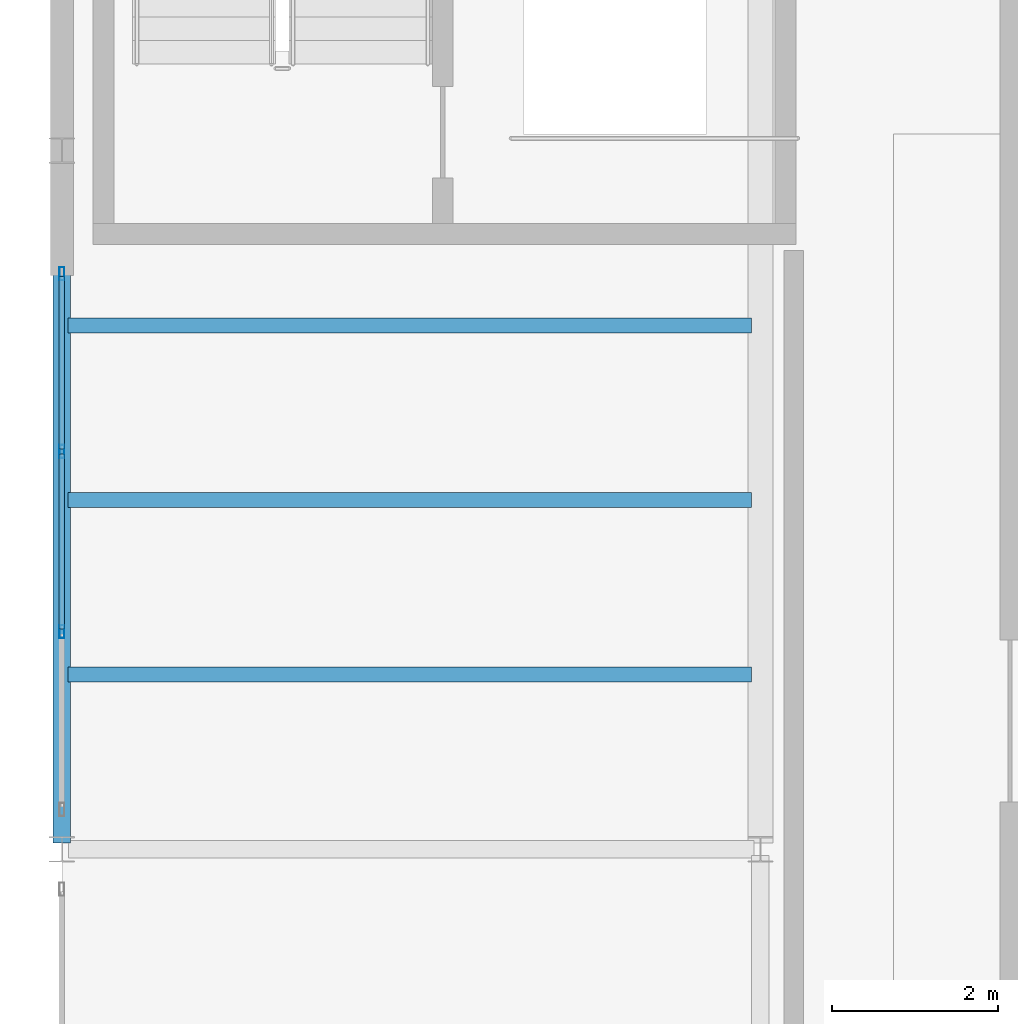
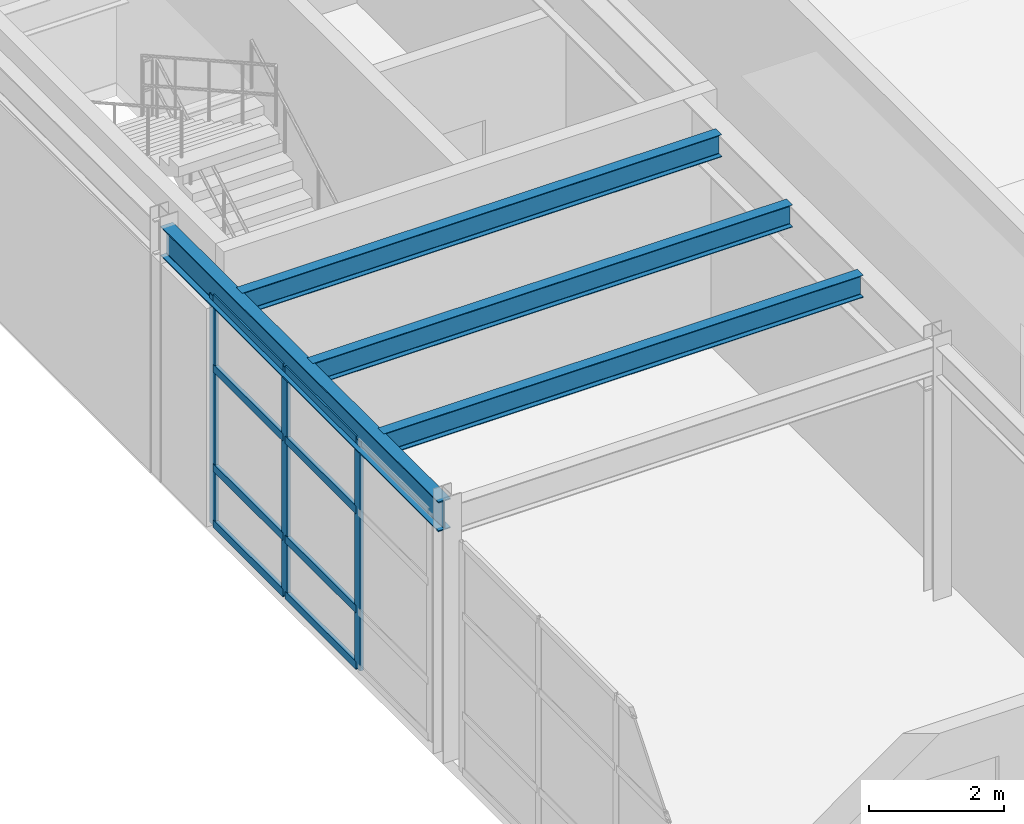
# One storey, part 62 of 116: 11 members, 4 beams, 1 element without a shape of its own.
"""IFC4 building model written with IfcOpenShell, lengths in metres."""

from ifc_helpers import new_model, si_unit, direction, frame, origin, origin_2d, place, context, subcontext, project, spatial, hollow_rectangle, i_section, extrude, material, layer, layer_set, material_profile, profile_set, type_object, element, aggregate, save


model = new_model("IFC4")

# Units and contexts
model_context = context("Model", 3, precision=1e-05, world=origin(), true_north=direction((0.0, 1.0)))
body_context = subcontext(model_context, "Body", "Model", "MODEL_VIEW")
ifc_project = project(units=[si_unit("LENGTHUNIT", "METRE"), si_unit("AREAUNIT", "SQUARE_METRE"), si_unit("VOLUMEUNIT", "CUBIC_METRE"), si_unit("PLANEANGLEUNIT", "RADIAN"), si_unit("MASSUNIT", "GRAM", prefix="KILO")], contexts=[model_context])

# Site, building, storey
site_placement = place(None, origin())
site = spatial("IfcSite", under=ifc_project, at=site_placement, CompositionType="ELEMENT")
building_placement = place(site_placement, origin())
building = spatial("IfcBuilding", under=site, at=building_placement, Name="Selat Folded Stagehouse", CompositionType="ELEMENT")
storey_placement = place(building_placement, frame((0.0, 0.0, 5.39990234375)))
storey = spatial("IfcBuildingStorey", under=building, at=storey_placement, Name="L01", CompositionType="ELEMENT", Elevation=5.39990234375)

# Beam
ifc_material_1 = material(Name="Steel S355", Category="steel")
ifc_material_profile_1 = material_profile(ifc_material_1, i_section(OverallWidth=0.210693359375, OverallDepth=0.53955078125, WebThickness=0.01171875, FlangeThickness=0.018798828125, FilletRadius=0.0126953125, at=origin_2d()), Name="UKB 533x210x109")
ifc_profile_set_1 = profile_set([ifc_material_profile_1], Name="Steel S355")
beam_type_1 = type_object("IfcBeamType", Name="BM-GIRD-533x210x109", PredefinedType="BEAM", material=ifc_profile_set_1)
beam_placement = place(storey_placement, frame((0.0, 62.47705078125, 4.310302734375), z_axis=(0.0, 1.0, 0.0), x_axis=(-1.0, 0.0, 0.0)))
element("IfcBeam", 1, at=beam_placement, inside=storey, type_object=beam_type_1, Name="L01 primary y-girder 0804", PredefinedType="BEAM", context=body_context, shape_type="SweptSolid", body=[
    extrude(i_section(OverallWidth=0.210693359375, OverallDepth=0.53955078125, WebThickness=0.01171875, FlangeThickness=0.018798828125, FilletRadius=0.0126953125, at=origin_2d()), origin(), (0.0, 0.0, 1.0), 8.245849609375),
])

# Curtain wall, members
ifc_material_2 = material(Name="Aluminium 6063-T6", Category="aluminium")
ifc_layer = layer(ifc_material_2, 0.179931640625)
ifc_layer_set = layer_set([ifc_layer], Name="Aluminium 6063-T6")
curtain_wall_type = type_object("IfcCurtainWallType", Name="CW-BBX-FOYER", PredefinedType="NOTDEFINED", material=ifc_layer_set)
curtain_wall_placement = place(storey_placement, origin())
curtain_wall = element("IfcCurtainWall", 2, at=curtain_wall_placement, inside=storey, type_object=curtain_wall_type, Name="L01 curtain wall CW-BRG-22", PredefinedType="NOTDEFINED")
ifc_material_profile_2 = material_profile(ifc_material_2, hollow_rectangle(XDim=0.06005859375, YDim=0.159912109375, WallThickness=0.00390625, at=origin_2d()), Name="ALU 160x60x4.0")
ifc_profile_set_2 = profile_set([ifc_material_profile_2], Name="Aluminium 6063-T6")
member_type_1 = type_object("IfcMemberType", Name="CWM-MUL-160x60", PredefinedType="MULLION", material=ifc_profile_set_2)
member_1_placement = place(storey_placement, frame((0.0, 65.0166015625, 0.0), z_axis=(0.0, 0.0, 1.0), x_axis=(-1.0, 0.0, 0.0)))
member_1 = element("IfcMember", 3, at=member_1_placement, type_object=member_type_1, Name="CW-08 mullion 2", PredefinedType="MULLION", context=body_context, shape_type="SweptSolid", body=[
    extrude(hollow_rectangle(XDim=0.06005859375, YDim=0.159912109375, WallThickness=0.00390625, at=origin_2d()), origin(), (0.0, 0.0, 1.0), 4.150146484375),
])
member_2_placement = place(storey_placement, frame((0.0, 67.183349609375, 0.0), z_axis=(0.0, 0.0, 1.0), x_axis=(-1.0, 0.0, 0.0)))
member_2 = element("IfcMember", 4, at=member_2_placement, type_object=member_type_1, Name="CW-08 mullion 3", PredefinedType="MULLION", context=body_context, shape_type="SweptSolid", body=[
    extrude(hollow_rectangle(XDim=0.06005859375, YDim=0.159912109375, WallThickness=0.00390625, at=origin_2d()), origin(), (0.0, 0.0, 1.0), 4.150146484375),
])
member_3_placement = place(storey_placement, frame((0.0, 69.320068359375, 0.0), z_axis=(0.0, 0.0, 1.0), x_axis=(-1.0, 0.0, 0.0)))
member_3 = element("IfcMember", 5, at=member_3_placement, type_object=member_type_1, Name="CW-08 mullion 4", PredefinedType="MULLION", context=body_context, shape_type="SweptSolid", body=[
    extrude(hollow_rectangle(XDim=0.06005859375, YDim=0.159912109375, WallThickness=0.00390625, at=origin_2d()), origin(), (0.0, 0.0, 1.0), 4.150146484375),
])
ifc_material_profile_3 = material_profile(ifc_material_2, hollow_rectangle(XDim=0.06494140625, YDim=0.139892578125, WallThickness=0.00390625, at=origin_2d()), Name="ALU 140x65x4.0")
ifc_profile_set_3 = profile_set([ifc_material_profile_3], Name="Aluminium 6063-T6")
member_type_2 = type_object("IfcMemberType", Name="CWM-TRN-140x65", PredefinedType="USERDEFINED", material=ifc_profile_set_3)
member_4_placement = place(storey_placement, frame((0.0, 65.046630859375, 0.03271484375), z_axis=(0.0, 1.0, 0.0), x_axis=(-1.0, 0.0, 0.0)))
member_4 = element("IfcMember", 6, at=member_4_placement, type_object=member_type_2, Name="CW-08 transom 2.1", ObjectType="TRANSOM", PredefinedType="USERDEFINED", context=body_context, shape_type="SweptSolid", body=[
    extrude(hollow_rectangle(XDim=0.06494140625, YDim=0.139892578125, WallThickness=0.00390625, at=origin_2d()), origin(), (0.0, 0.0, 1.0), 2.106689453125),
])
member_5_placement = place(storey_placement, frame((0.0, 65.046630859375, 1.050048828125), z_axis=(0.0, 1.0, 0.0), x_axis=(-1.0, 0.0, 0.0)))
member_5 = element("IfcMember", 7, at=member_5_placement, type_object=member_type_2, Name="CW-08 transom 2.2", ObjectType="TRANSOM", PredefinedType="USERDEFINED", context=body_context, shape_type="SweptSolid", body=[
    extrude(hollow_rectangle(XDim=0.06494140625, YDim=0.139892578125, WallThickness=0.00390625, at=origin_2d()), origin(), (0.0, 0.0, 1.0), 2.106689453125),
])
member_6_placement = place(storey_placement, frame((0.0, 65.046630859375, 2.85009765625), z_axis=(0.0, 1.0, 0.0), x_axis=(-1.0, 0.0, 0.0)))
member_6 = element("IfcMember", 8, at=member_6_placement, type_object=member_type_2, Name="CW-08 transom 2.3", ObjectType="TRANSOM", PredefinedType="USERDEFINED", context=body_context, shape_type="SweptSolid", body=[
    extrude(hollow_rectangle(XDim=0.06494140625, YDim=0.139892578125, WallThickness=0.00390625, at=origin_2d()), origin(), (0.0, 0.0, 1.0), 2.106689453125),
])
member_7_placement = place(storey_placement, frame((0.0, 65.046630859375, 4.11767578125), z_axis=(0.0, 1.0, 0.0), x_axis=(-1.0, 0.0, 0.0)))
member_7 = element("IfcMember", 9, at=member_7_placement, type_object=member_type_2, Name="CW-08 transom 2.4", ObjectType="TRANSOM", PredefinedType="USERDEFINED", context=body_context, shape_type="SweptSolid", body=[
    extrude(hollow_rectangle(XDim=0.06494140625, YDim=0.139892578125, WallThickness=0.00390625, at=origin_2d()), origin(), (0.0, 0.0, 1.0), 2.106689453125),
])
member_8_placement = place(storey_placement, frame((0.0, 67.21337890625, 0.03271484375), z_axis=(0.0, 1.0, 0.0), x_axis=(-1.0, 0.0, 0.0)))
member_8 = element("IfcMember", 10, at=member_8_placement, type_object=member_type_2, Name="CW-08 transom 3.1", ObjectType="TRANSOM", PredefinedType="USERDEFINED", context=body_context, shape_type="SweptSolid", body=[
    extrude(hollow_rectangle(XDim=0.06494140625, YDim=0.139892578125, WallThickness=0.00390625, at=origin_2d()), origin(), (0.0, 0.0, 1.0), 2.07666015625),
])
member_9_placement = place(storey_placement, frame((0.0, 67.21337890625, 1.050048828125), z_axis=(0.0, 1.0, 0.0), x_axis=(-1.0, 0.0, 0.0)))
member_9 = element("IfcMember", 11, at=member_9_placement, type_object=member_type_2, Name="CW-08 transom 3.2", ObjectType="TRANSOM", PredefinedType="USERDEFINED", context=body_context, shape_type="SweptSolid", body=[
    extrude(hollow_rectangle(XDim=0.06494140625, YDim=0.139892578125, WallThickness=0.00390625, at=origin_2d()), origin(), (0.0, 0.0, 1.0), 2.07666015625),
])
member_10_placement = place(storey_placement, frame((0.0, 67.21337890625, 2.85009765625), z_axis=(0.0, 1.0, 0.0), x_axis=(-1.0, 0.0, 0.0)))
member_10 = element("IfcMember", 12, at=member_10_placement, type_object=member_type_2, Name="CW-08 transom 3.3", ObjectType="TRANSOM", PredefinedType="USERDEFINED", context=body_context, shape_type="SweptSolid", body=[
    extrude(hollow_rectangle(XDim=0.06494140625, YDim=0.139892578125, WallThickness=0.00390625, at=origin_2d()), origin(), (0.0, 0.0, 1.0), 2.07666015625),
])
member_11_placement = place(storey_placement, frame((0.0, 67.21337890625, 4.11767578125), z_axis=(0.0, 1.0, 0.0), x_axis=(-1.0, 0.0, 0.0)))
member_11 = element("IfcMember", 13, at=member_11_placement, type_object=member_type_2, Name="CW-08 transom 3.4", ObjectType="TRANSOM", PredefinedType="USERDEFINED", context=body_context, shape_type="SweptSolid", body=[
    extrude(hollow_rectangle(XDim=0.06494140625, YDim=0.139892578125, WallThickness=0.00390625, at=origin_2d()), origin(), (0.0, 0.0, 1.0), 2.07666015625),
])
aggregate(curtain_wall, [member_1, member_2, member_3, member_4, member_5, member_6, member_7, member_8, member_9, member_10, member_11])

# Beams
ifc_material_profile_4 = material_profile(ifc_material_1, i_section(OverallWidth=0.177978515625, OverallDepth=0.406494140625, WebThickness=0.0078125, FlangeThickness=0.0126953125, FilletRadius=0.01025390625, at=origin_2d()), Name="UKB 406x178x60")
ifc_profile_set_4 = profile_set([ifc_material_profile_4], Name="Steel S355")
beam_type_2 = type_object("IfcBeamType", Name="JST-406x178x60", PredefinedType="JOIST", material=ifc_profile_set_4)
for number, where, z_axis, x_axis, name in (
    (14, (0.07373046875, 64.5, 4.376953125), (1.0, 0.0, 0.0), (0.0, 1.0, 0.0), "L01 secondary x-joist 0975"),
    (15, (0.07373046875, 66.60009765625, 4.376953125), (1.0, 0.0, 0.0), (0.0, 1.0, 0.0), "L01 secondary x-joist 0976"),
    (16, (0.07373046875, 68.699951171875, 4.376953125), (1.0, 0.0, 0.0), (0.0, 1.0, 0.0), "L01 secondary x-joist 0977"),
):
    element("IfcBeam", number, at=place(storey_placement, frame(where, z_axis=z_axis, x_axis=x_axis)), inside=storey, type_object=beam_type_2, Name=name, PredefinedType="JOIST", context=body_context, shape_type="SweptSolid", body=[
        extrude(i_section(OverallWidth=0.177978515625, OverallDepth=0.406494140625, WebThickness=0.0078125, FlangeThickness=0.0126953125, FilletRadius=0.01025390625, at=origin_2d()), origin(), (0.0, 0.0, 1.0), 8.219482421875),
    ])

save(model, "model.ifc")
